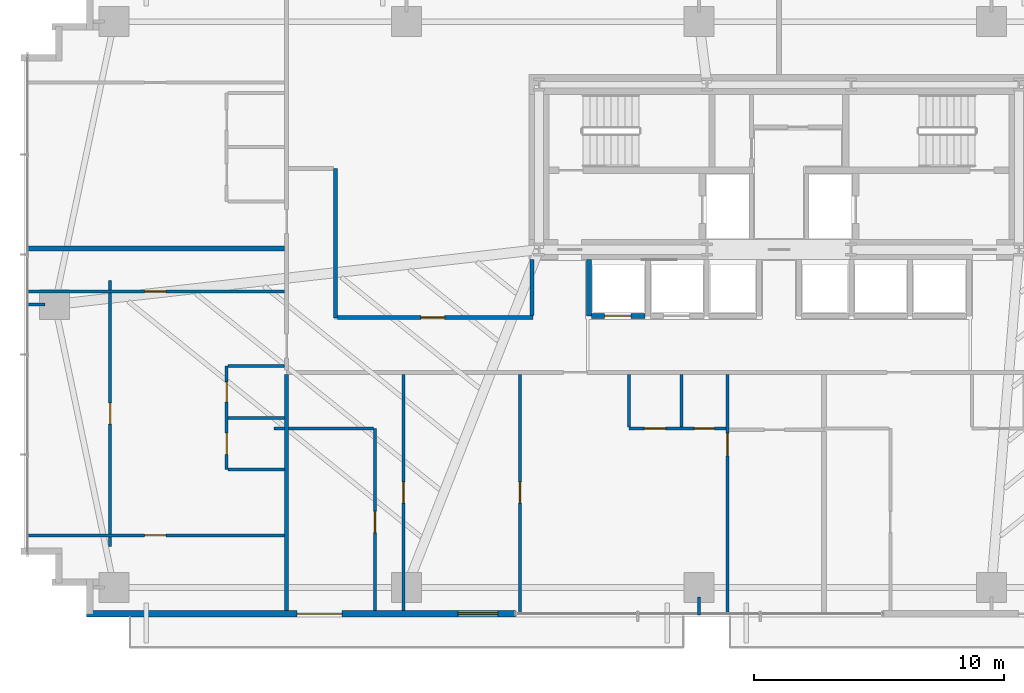
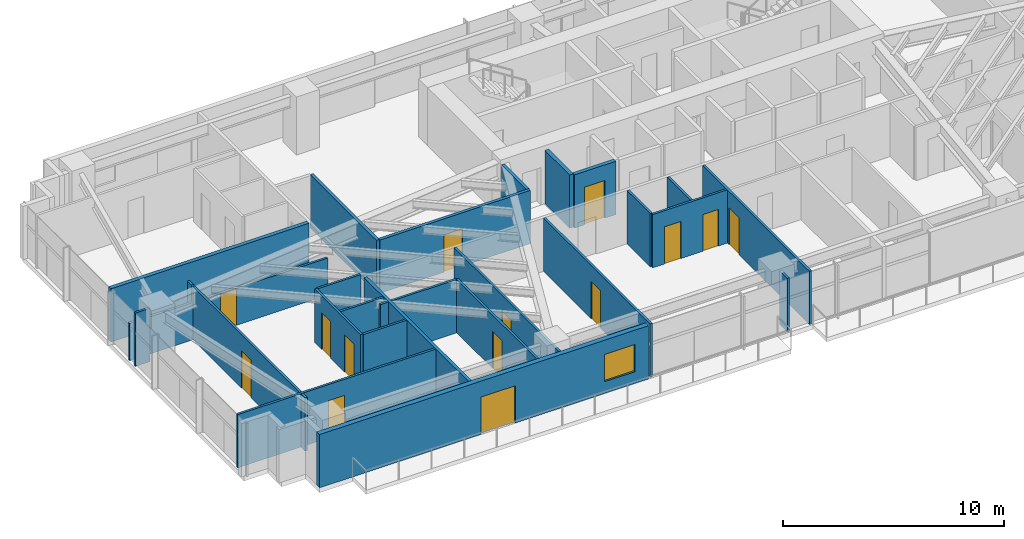
# One storey, part 19 of 25: 28 walls, 14 doors, 1 window, 15 openings.
"""IFC4 building model written with IfcOpenShell, lengths in metres."""

from ifc_helpers import new_model, si_unit, direction, frame, frame_2d, origin, place, context, subcontext, project, spatial, rectangle, extrude, source, transform, mapped, material, layer, layer_set, type_object, type_shapes, element, fill, save


model = new_model("IFC4")

# Units and contexts
model_context = context("Model", 3, precision=1e-05, world=origin(), true_north=direction((0.0, 1.0)))
body_context = subcontext(model_context, "Body", "Model", "MODEL_VIEW")
ifc_project = project(units=[si_unit("LENGTHUNIT", "METRE"), si_unit("AREAUNIT", "SQUARE_METRE"), si_unit("VOLUMEUNIT", "CUBIC_METRE"), si_unit("PLANEANGLEUNIT", "RADIAN"), si_unit("MASSUNIT", "GRAM", prefix="KILO")], contexts=[model_context])

# Site, building, storey
site_placement = place(None, origin())
site = spatial("IfcSite", under=ifc_project, at=site_placement, CompositionType="ELEMENT")
building_placement = place(site_placement, origin())
building = spatial("IfcBuilding", under=site, at=building_placement, Name="Astriad Promenade Condominiums", CompositionType="ELEMENT")
storey_placement = place(building_placement, frame((0.0, 0.0, 35.800048828125)))
storey = spatial("IfcBuildingStorey", under=building, at=storey_placement, Name="L09", CompositionType="ELEMENT", Elevation=35.800048828125)

# Walls
ifc_material_1 = material(Name="Fire-Rated Gypsum Partition")
ifc_layer_1 = layer(ifc_material_1, 0.159912109375)
ifc_layer_set_1 = layer_set([ifc_layer_1], Name="Fire-Rated Gypsum Partition")
wall_type_1 = type_object("IfcWallType", Name="WALL-CORR-160", PredefinedType="PARTITIONING", material=ifc_layer_set_1)
wall_1_placement = place(storey_placement, frame((16.300048828125, 2.9619140625, 0.0), z_axis=(0.0, 0.0, 1.0), x_axis=(0.0, 1.0, 0.0)))
element("IfcWall", 1, at=wall_1_placement, inside=storey, type_object=wall_type_1, Name="PT-COR-W-L09", PredefinedType="PARTITIONING", context=body_context, shape_type="SweptSolid", body=[
    extrude(rectangle(XDim=9.446044921875, YDim=0.159912109375, at=frame_2d((4.72314453125, 0.0))), origin(), (0.0, 0.0, 1.0), 2.93994140625),
])
wall_2_placement = place(storey_placement, frame((18.25, 14.659912109375, 0.0), z_axis=(0.0, 0.0, 1.0), x_axis=(0.0, 1.0, 0.0)))
element("IfcWall", 2, at=wall_2_placement, inside=storey, type_object=wall_type_1, Name="PT-WALC-E-L09", PredefinedType="PARTITIONING", context=body_context, shape_type="SweptSolid", body=[
    extrude(rectangle(XDim=5.989990234375, YDim=0.159912109375, at=frame_2d((2.9951171875, 0.0))), origin(), (0.0, 0.0, 1.0), 2.93994140625),
])

# Wall, opening, door
wall_3_placement = place(storey_placement, frame((18.33203125, 14.679931640625, 0.0), z_axis=(0.0, 0.0, 1.0), x_axis=(1.0, 0.0, 0.0)))
wall_3 = element("IfcWall", 3, at=wall_3_placement, inside=storey, type_object=wall_type_1, Name="PT-FLK-NW-L09", PredefinedType="PARTITIONING", context=body_context, shape_type="SweptSolid", body=[
    extrude(rectangle(XDim=7.827880859375, YDim=0.159912109375, at=frame_2d((3.9140625, 0.0))), origin(), (0.0, 0.0, 1.0), 2.93994140625),
])
opening_1_placement = place(wall_3_placement, frame((3.337890625, 0.0, 0.0)))
opening_1 = element("IfcOpeningElement", 4, at=opening_1_placement, cuts=wall_3, Name="Opening FD60-APT-095", PredefinedType="OPENING", context=body_context, shape_type="SweptSolid", body=[
    extrude(rectangle(XDim=0.949951171875, YDim=2.06005859375, at=frame_2d((0.47509765625, 1.030029296875))), frame((0.0, 0.08984375, 0.0), z_axis=(0.0, -1.0, 0.0), x_axis=(1.0, 0.0, 0.0)), (0.0, 0.0, 1.0), 0.179931640625),
])
ifc_material_2 = material(Name="Solid-Core Acoustic Timber Residence Entry Door", Category="wood")
door_type_1 = type_object("IfcDoorType", Name="FD60-APT-095", OperationType="NOTDEFINED", PredefinedType="DOOR", material=ifc_material_2)
shared_shape_1 = source(origin(), body_context, "Body", "SweptSolid", [
    extrude(rectangle(XDim=0.949951171875, YDim=2.06005859375, at=frame_2d((0.47509765625, 1.030029296875))), frame((0.0, 0.02490234375, 0.0), z_axis=(0.0, -1.0, 0.0), x_axis=(1.0, 0.0, 0.0)), (0.0, 0.0, 1.0), 0.050048828125),
])
type_shapes(door_type_1, [shared_shape_1])
door_1_placement = place(opening_1_placement, origin())
door_1 = element("IfcDoor", 5, at=door_1_placement, inside=storey, type_object=door_type_1, Name="D-NWA-L09", OperationType="SINGLE_SWING_LEFT", OverallHeight=2.06005859375, OverallWidth=0.949951171875, PredefinedType="DOOR", context=body_context, shape_type="MappedRepresentation", body=[
    mapped(shared_shape_1, transform((0.0, 0.0, 0.0), scale=1.0)),
])
fill(opening_1, door_1)

# Walls
wall_4_placement = place(storey_placement, frame((26.1201171875, 14.761962890625, 0.0), z_axis=(0.0, 0.0, 1.0), x_axis=(0.0, 1.0, 0.0)))
element("IfcWall", 6, at=wall_4_placement, inside=storey, type_object=wall_type_1, Name="PT-WSPUR-W-L09", PredefinedType="PARTITIONING", context=body_context, shape_type="SweptSolid", body=[
    extrude(rectangle(XDim=2.236083984375, YDim=0.159912109375, at=frame_2d((1.1181640625, 0.0))), origin(), (0.0, 0.0, 1.0), 2.93994140625),
])
ifc_material_3 = material(Name="Acoustic Double-Stud Gypsum Partition")
ifc_layer_2 = layer(ifc_material_3, 0.199951171875)
ifc_layer_set_2 = layer_set([ifc_layer_2], Name="Acoustic Double-Stud Gypsum Partition")
wall_type_2 = type_object("IfcWallType", Name="WALL-DEMISING-200", PredefinedType="PARTITIONING", material=ifc_layer_set_2)
wall_5_placement = place(storey_placement, frame((5.8798828125, 17.449951171875, 0.0), z_axis=(0.0, 0.0, 1.0), x_axis=(1.0, 0.0, 0.0)))
element("IfcWall", 7, at=wall_5_placement, inside=storey, type_object=wall_type_2, Name="PT-DEM-WW-L09", PredefinedType="PARTITIONING", context=body_context, shape_type="SweptSolid", body=[
    extrude(rectangle(XDim=10.338134765625, YDim=0.199951171875, at=frame_2d((5.1689453125, 0.0))), origin(), (0.0, 0.0, 1.0), 2.93994140625),
])

# Wall, openings, door, window
ifc_material_4 = material(Name="Precast concrete C50/60", Category="concrete")
ifc_layer_3 = layer(ifc_material_4, 0.260009765625)
ifc_layer_set_3 = layer_set([ifc_layer_3], Name="Precast concrete C50/60")
wall_type_3 = type_object("IfcWallType", Name="WALL-EXT-TWR-260", PredefinedType="STANDARD", material=ifc_layer_set_3)
wall_6_placement = place(storey_placement, frame((25.449951171875, 2.830078125, 0.0), z_axis=(0.0, 0.0, 1.0), x_axis=(-1.0, 0.0, 0.0)))
wall_6 = element("IfcWall", 8, at=wall_6_placement, inside=storey, type_object=wall_type_3, Name="W-EXT-L09-S2", PredefinedType="STANDARD", context=body_context, shape_type="SweptSolid", body=[
    extrude(rectangle(XDim=17.14990234375, YDim=0.260009765625, at=frame_2d((8.574951171875, 0.0))), origin(), (0.0, 0.0, 1.0), 2.93994140625),
])
opening_2_placement = place(wall_6_placement, frame((6.929931640625, 0.0, 0.0)))
opening_2 = element("IfcOpeningElement", 9, at=opening_2_placement, cuts=wall_6, Name="Opening BD-1822-SLD", PredefinedType="OPENING", context=body_context, shape_type="SweptSolid", body=[
    extrude(rectangle(XDim=1.800048828125, YDim=2.06005859375, at=frame_2d((0.89990234375, 1.030029296875))), frame((0.0, 0.139892578125, 0.0), z_axis=(0.0, -1.0, 0.0), x_axis=(1.0, 0.0, 0.0)), (0.0, 0.0, 1.0), 0.280029296875),
])
opening_3_placement = place(wall_6_placement, frame((0.699951171875, 0.0, 0.64990234375)))
opening_3 = element("IfcOpeningElement", 10, at=opening_3_placement, cuts=wall_6, Name="Opening WIN-TWR-1620", PredefinedType="OPENING", context=body_context, shape_type="SweptSolid", body=[
    extrude(rectangle(XDim=1.60009765625, YDim=1.5, at=frame_2d((0.800048828125, 0.75))), frame((0.0, 0.139892578125, 0.0), z_axis=(0.0, -1.0, 0.0), x_axis=(1.0, 0.0, 0.0)), (0.0, 0.0, 1.0), 0.280029296875),
])
ifc_material_5 = material(Name="Thermally Broken Aluminium Sliding Balcony Door", Category="aluminium")
door_type_2 = type_object("IfcDoorType", Name="BD-1822-SLD", OperationType="NOTDEFINED", PredefinedType="DOOR", material=ifc_material_5)
shared_shape_2 = source(origin(), body_context, "Body", "SweptSolid", [
    extrude(rectangle(XDim=1.800048828125, YDim=2.06005859375, at=frame_2d((0.89990234375, 1.030029296875))), frame((0.0, 0.02490234375, 0.0), z_axis=(0.0, -1.0, 0.0), x_axis=(1.0, 0.0, 0.0)), (0.0, 0.0, 1.0), 0.050048828125),
])
type_shapes(door_type_2, [shared_shape_2])
door_2_placement = place(opening_2_placement, origin())
door_2 = element("IfcDoor", 11, at=door_2_placement, inside=storey, type_object=door_type_2, Name="BD-L09-SW", OperationType="SLIDING_TO_LEFT", OverallHeight=2.06005859375, OverallWidth=1.800048828125, PredefinedType="DOOR", context=body_context, shape_type="MappedRepresentation", body=[
    mapped(shared_shape_2, transform((0.0, 0.0, 0.0), scale=1.0)),
])
fill(opening_2, door_2)
ifc_material_6 = material(Name="Dark Tinted Triple-Glazed Aluminium Window", Category="aluminium")
window_type = type_object("IfcWindowType", Name="WIN-TWR-1620", PartitioningType="SINGLE_PANEL", PredefinedType="WINDOW", material=ifc_material_6)
shared_shape_3 = source(origin(), body_context, "Body", "SweptSolid", [
    extrude(rectangle(XDim=1.60009765625, YDim=1.5, at=frame_2d((0.800048828125, 0.75))), frame((0.0, 0.030029296875, 0.0), z_axis=(0.0, -1.0, 0.0), x_axis=(1.0, 0.0, 0.0)), (0.0, 0.0, 1.0), 0.06005859375),
])
type_shapes(window_type, [shared_shape_3])
window_placement = place(opening_3_placement, origin())
window = element("IfcWindow", 12, at=window_placement, inside=storey, type_object=window_type, Name="WIN-L09-SW", OverallHeight=1.5, OverallWidth=1.60009765625, PartitioningType="SINGLE_PANEL", PredefinedType="WINDOW", context=body_context, shape_type="MappedRepresentation", body=[
    mapped(shared_shape_3, transform((0.0, 0.0, 0.0), scale=1.0)),
])
fill(opening_3, window)

# Wall, opening, door
ifc_material_7 = material(Name="Acoustic Metal-Stud Gypsum Partition")
ifc_layer_4 = layer(ifc_material_7, 0.1201171875)
ifc_layer_set_4 = layer_set([ifc_layer_4], Name="Acoustic Metal-Stud Gypsum Partition")
wall_type_4 = type_object("IfcWallType", Name="WALL-PART-120", PredefinedType="PARTITIONING", material=ifc_layer_set_4)
wall_7_placement = place(storey_placement, frame((33.944091796875, 2.780029296875, 0.0), z_axis=(0.0, 0.0, 1.0), x_axis=(0.0, 1.0, 0.0)))
wall_7 = element("IfcWall", 13, at=wall_7_placement, inside=storey, type_object=wall_type_4, Name="PT-L09-S1-BD1", PredefinedType="PARTITIONING", context=body_context, shape_type="SweptSolid", body=[
    extrude(rectangle(XDim=9.6279296875, YDim=0.1201171875, at=frame_2d((4.81396484375, 0.0))), origin(), (0.0, 0.0, 1.0), 2.93994140625),
])
opening_4_placement = place(wall_7_placement, frame((6.360107421875, 0.0, 0.0)))
opening_4 = element("IfcOpeningElement", 14, at=opening_4_placement, cuts=wall_7, Name="Opening D-INT-090", PredefinedType="OPENING", context=body_context, shape_type="SweptSolid", body=[
    extrude(rectangle(XDim=0.89990234375, YDim=2.050048828125, at=frame_2d((0.449951171875, 1.02490234375))), frame((0.0, 0.070068359375, 0.0), z_axis=(0.0, -1.0, 0.0), x_axis=(1.0, 0.0, 0.0)), (0.0, 0.0, 1.0), 0.14013671875),
])
ifc_material_8 = material(Name="Painted Solid-Core Timber Bedroom Door", Category="wood")
door_type_3 = type_object("IfcDoorType", Name="D-INT-090", OperationType="NOTDEFINED", PredefinedType="DOOR", material=ifc_material_8)
shared_shape_4 = source(origin(), body_context, "Body", "SweptSolid", [
    extrude(rectangle(XDim=0.89990234375, YDim=2.050048828125, at=frame_2d((0.449951171875, 1.02490234375))), frame((0.0, 0.02490234375, 0.0), z_axis=(0.0, -1.0, 0.0), x_axis=(1.0, 0.0, 0.0)), (0.0, 0.0, 1.0), 0.050048828125),
])
type_shapes(door_type_3, [shared_shape_4])
door_3_placement = place(opening_4_placement, origin())
door_3 = element("IfcDoor", 15, at=door_3_placement, inside=storey, type_object=door_type_3, Name="D-BD1-L09-S1", OperationType="SINGLE_SWING_RIGHT", OverallHeight=2.050048828125, OverallWidth=0.89990234375, PredefinedType="DOOR", context=body_context, shape_type="MappedRepresentation", body=[
    mapped(shared_shape_4, transform((0.0, 0.0, 0.0), scale=1.0)),
])
fill(opening_4, door_3)

# Wall, openings, doors
wall_8_placement = place(storey_placement, frame((29.993896484375, 10.239990234375, 0.0), z_axis=(0.0, 0.0, 1.0), x_axis=(1.0, 0.0, 0.0)))
wall_8 = element("IfcWall", 16, at=wall_8_placement, inside=storey, type_object=wall_type_4, Name="PT-L09-S1-PS", PredefinedType="PARTITIONING", context=body_context, shape_type="SweptSolid", body=[
    extrude(rectangle(XDim=3.88818359375, YDim=0.1201171875, at=frame_2d((1.944091796875, 0.0))), origin(), (0.0, 0.0, 1.0), 2.93994140625),
])
opening_5_placement = place(wall_8_placement, frame((0.625, 0.0, 0.0)))
opening_5 = element("IfcOpeningElement", 17, at=opening_5_placement, cuts=wall_8, Name="Opening D-INT-085", PredefinedType="OPENING", context=body_context, shape_type="SweptSolid", body=[
    extrude(rectangle(XDim=0.85009765625, YDim=2.050048828125, at=frame_2d((0.425048828125, 1.02490234375))), frame((0.0, 0.070068359375, 0.0), z_axis=(0.0, -1.0, 0.0), x_axis=(1.0, 0.0, 0.0)), (0.0, 0.0, 1.0), 0.14013671875),
])
opening_6_placement = place(wall_8_placement, frame((2.625, 0.0, 0.0)))
opening_6 = element("IfcOpeningElement", 18, at=opening_6_placement, cuts=wall_8, Name="Opening D-WET-080", PredefinedType="OPENING", context=body_context, shape_type="SweptSolid", body=[
    extrude(rectangle(XDim=0.800048828125, YDim=2.02001953125, at=frame_2d((0.39990234375, 1.010009765625))), frame((0.0, 0.070068359375, 0.0), z_axis=(0.0, -1.0, 0.0), x_axis=(1.0, 0.0, 0.0)), (0.0, 0.0, 1.0), 0.14013671875),
])
ifc_material_9 = material(Name="Moisture-Resistant Timber Bathroom Door", Category="wood")
door_type_4 = type_object("IfcDoorType", Name="D-WET-080", OperationType="NOTDEFINED", PredefinedType="DOOR", material=ifc_material_9)
shared_shape_5 = source(origin(), body_context, "Body", "SweptSolid", [
    extrude(rectangle(XDim=0.800048828125, YDim=2.02001953125, at=frame_2d((0.39990234375, 1.010009765625))), frame((0.0, 0.02490234375, 0.0), z_axis=(0.0, -1.0, 0.0), x_axis=(1.0, 0.0, 0.0)), (0.0, 0.0, 1.0), 0.050048828125),
])
type_shapes(door_type_4, [shared_shape_5])
door_4_placement = place(opening_6_placement, origin())
door_4 = element("IfcDoor", 19, at=door_4_placement, inside=storey, type_object=door_type_4, Name="D-BTH-L09-S1", OperationType="SINGLE_SWING_RIGHT", OverallHeight=2.02001953125, OverallWidth=0.800048828125, PredefinedType="DOOR", context=body_context, shape_type="MappedRepresentation", body=[
    mapped(shared_shape_5, transform((0.0, 0.0, 0.0), scale=1.0)),
])
fill(opening_6, door_4)
ifc_material_10 = material(Name="Painted Solid-Core Timber Room Door", Category="wood")
door_type_5 = type_object("IfcDoorType", Name="D-INT-085", OperationType="NOTDEFINED", PredefinedType="DOOR", material=ifc_material_10)
shared_shape_6 = source(origin(), body_context, "Body", "SweptSolid", [
    extrude(rectangle(XDim=0.85009765625, YDim=2.050048828125, at=frame_2d((0.425048828125, 1.02490234375))), frame((0.0, 0.02490234375, 0.0), z_axis=(0.0, -1.0, 0.0), x_axis=(1.0, 0.0, 0.0)), (0.0, 0.0, 1.0), 0.050048828125),
])
type_shapes(door_type_5, [shared_shape_6])
door_5_placement = place(opening_5_placement, origin())
door_5 = element("IfcDoor", 20, at=door_5_placement, inside=storey, type_object=door_type_5, Name="D-KIT-L09-S1", OperationType="SINGLE_SWING_LEFT", OverallHeight=2.050048828125, OverallWidth=0.85009765625, PredefinedType="DOOR", context=body_context, shape_type="MappedRepresentation", body=[
    mapped(shared_shape_6, transform((0.0, 0.0, 0.0), scale=1.0)),
])
fill(opening_5, door_5)

# Walls
for number, where, z_axis, x_axis, name in (
    (21, (32.093994140625, 10.302001953125, 0.0), (0.0, 0.0, 1.0), (0.0, 1.0, 0.0), "PT-L09-S1-PBK"),
    (22, (29.993896484375, 10.302001953125, 0.0), (0.0, 0.0, 1.0), (0.0, 1.0, 0.0), "PT-L09-S1-PKW"),
):
    element("IfcWall", number, at=place(storey_placement, frame(where, z_axis=z_axis, x_axis=x_axis)), inside=storey, type_object=wall_type_4, Name=name, PredefinedType="PARTITIONING", context=body_context, shape_type="SweptSolid", body=[
        extrude(rectangle(XDim=2.10595703125, YDim=0.1201171875, at=frame_2d((1.052978515625, 0.0))), origin(), (0.0, 0.0, 1.0), 2.93994140625),
    ])

# Wall, opening, door
wall_9_placement = place(storey_placement, frame((19.830078125, 2.9619140625, 0.0), z_axis=(0.0, 0.0, 1.0), x_axis=(0.0, 1.0, 0.0)))
wall_9 = element("IfcWall", 23, at=wall_9_placement, inside=storey, type_object=wall_type_4, Name="PT-L09-S1-EXV", PredefinedType="PARTITIONING", context=body_context, shape_type="SweptSolid", body=[
    extrude(rectangle(XDim=7.278076171875, YDim=0.1201171875, at=frame_2d((3.63916015625, 0.0))), origin(), (0.0, 0.0, 1.0), 2.93994140625),
])
opening_7_placement = place(wall_9_placement, frame((3.113037109375, 0.0, 0.0)))
opening_7 = element("IfcOpeningElement", 24, at=opening_7_placement, cuts=wall_9, Name="Opening D-INT-085", PredefinedType="OPENING", context=body_context, shape_type="SweptSolid", body=[
    extrude(rectangle(XDim=0.85009765625, YDim=2.050048828125, at=frame_2d((0.425048828125, 1.02490234375))), frame((0.0, 0.070068359375, 0.0), z_axis=(0.0, -1.0, 0.0), x_axis=(1.0, 0.0, 0.0)), (0.0, 0.0, 1.0), 0.14013671875),
])
door_6_placement = place(opening_7_placement, origin())
door_6 = element("IfcDoor", 25, at=door_6_placement, inside=storey, type_object=door_type_5, Name="D-EX-L09-S1", OperationType="SINGLE_SWING_RIGHT", OverallHeight=2.050048828125, OverallWidth=0.85009765625, PredefinedType="DOOR", context=body_context, shape_type="MappedRepresentation", body=[
    mapped(shared_shape_6, transform((0.0, 0.0, 0.0), scale=1.0)),
])
fill(opening_7, door_6)

# Walls
wall_10_placement = place(storey_placement, frame((15.800048828125, 10.239990234375, 0.0), z_axis=(0.0, 0.0, 1.0), x_axis=(1.0, 0.0, 0.0)))
element("IfcWall", 26, at=wall_10_placement, inside=storey, type_object=wall_type_4, Name="PT-L09-S1-EXH", PredefinedType="PARTITIONING", context=body_context, shape_type="SweptSolid", body=[
    extrude(rectangle(XDim=0.41796875, YDim=0.1201171875, at=frame_2d((0.208984375, 0.0))), origin(), (0.0, 0.0, 1.0), 2.93994140625),
])
wall_11_placement = place(storey_placement, frame((16.382080078125, 10.239990234375, 0.0), z_axis=(0.0, 0.0, 1.0), x_axis=(1.0, 0.0, 0.0)))
element("IfcWall", 27, at=wall_11_placement, inside=storey, type_object=wall_type_4, Name="PT-L09-S1-EXH-S2", PredefinedType="PARTITIONING", context=body_context, shape_type="SweptSolid", body=[
    extrude(rectangle(XDim=3.385986328125, YDim=0.1201171875, at=frame_2d((1.69287109375, 0.0))), origin(), (0.0, 0.0, 1.0), 2.93994140625),
])

# Wall, opening, door
wall_12_placement = place(storey_placement, frame((20.97998046875, 2.9619140625, 0.0), z_axis=(0.0, 0.0, 1.0), x_axis=(0.0, 1.0, 0.0)))
wall_12 = element("IfcWall", 28, at=wall_12_placement, inside=storey, type_object=wall_type_4, Name="PT-L09-S1-CAP1", PredefinedType="PARTITIONING", context=body_context, shape_type="SweptSolid", body=[
    extrude(rectangle(XDim=9.446044921875, YDim=0.1201171875, at=frame_2d((4.72314453125, 0.0))), origin(), (0.0, 0.0, 1.0), 2.93994140625),
])
opening_8_placement = place(wall_12_placement, frame((4.2880859375, 0.0, 0.0)))
opening_8 = element("IfcOpeningElement", 29, at=opening_8_placement, cuts=wall_12, Name="Opening D-INT-085", PredefinedType="OPENING", context=body_context, shape_type="SweptSolid", body=[
    extrude(rectangle(XDim=0.85009765625, YDim=2.050048828125, at=frame_2d((0.425048828125, 1.02490234375))), frame((0.0, 0.070068359375, 0.0), z_axis=(0.0, -1.0, 0.0), x_axis=(1.0, 0.0, 0.0)), (0.0, 0.0, 1.0), 0.14013671875),
])
door_7_placement = place(opening_8_placement, origin())
door_7 = element("IfcDoor", 30, at=door_7_placement, inside=storey, type_object=door_type_5, Name="D-CAP1-L09-S1", OperationType="SINGLE_SWING_LEFT", OverallHeight=2.050048828125, OverallWidth=0.85009765625, PredefinedType="DOOR", context=body_context, shape_type="MappedRepresentation", body=[
    mapped(shared_shape_6, transform((0.0, 0.0, 0.0), scale=1.0)),
])
fill(opening_8, door_7)

wall_13_placement = place(storey_placement, frame((25.639892578125, 2.780029296875, 0.0), z_axis=(0.0, 0.0, 1.0), x_axis=(0.0, 1.0, 0.0)))
wall_13 = element("IfcWall", 31, at=wall_13_placement, inside=storey, type_object=wall_type_4, Name="PT-L09-S1-CAP2", PredefinedType="PARTITIONING", context=body_context, shape_type="SweptSolid", body=[
    extrude(rectangle(XDim=9.6279296875, YDim=0.1201171875, at=frame_2d((4.81396484375, 0.0))), origin(), (0.0, 0.0, 1.0), 2.93994140625),
])
opening_9_placement = place(wall_13_placement, frame((4.469970703125, 0.0, 0.0)))
opening_9 = element("IfcOpeningElement", 32, at=opening_9_placement, cuts=wall_13, Name="Opening D-INT-085", PredefinedType="OPENING", context=body_context, shape_type="SweptSolid", body=[
    extrude(rectangle(XDim=0.85009765625, YDim=2.050048828125, at=frame_2d((0.425048828125, 1.02490234375))), frame((0.0, 0.070068359375, 0.0), z_axis=(0.0, -1.0, 0.0), x_axis=(1.0, 0.0, 0.0)), (0.0, 0.0, 1.0), 0.14013671875),
])
door_8_placement = place(opening_9_placement, origin())
door_8 = element("IfcDoor", 33, at=door_8_placement, inside=storey, type_object=door_type_5, Name="D-CAP2-L09-S1", OperationType="SINGLE_SWING_RIGHT", OverallHeight=2.050048828125, OverallWidth=0.85009765625, PredefinedType="DOOR", context=body_context, shape_type="MappedRepresentation", body=[
    mapped(shared_shape_6, transform((0.0, 0.0, 0.0), scale=1.0)),
])
fill(opening_9, door_8)

# Wall, openings, doors
wall_14_placement = place(storey_placement, frame((13.89990234375, 8.590087890625, 0.0), z_axis=(0.0, 0.0, 1.0), x_axis=(0.0, 1.0, 0.0)))
wall_14 = element("IfcWall", 34, at=wall_14_placement, inside=storey, type_object=wall_type_4, Name="PT-L09-W1-PV", PredefinedType="PARTITIONING", context=body_context, shape_type="SweptSolid", body=[
    extrude(rectangle(XDim=4.14990234375, YDim=0.1201171875, at=frame_2d((2.074951171875, 0.0))), origin(), (0.0, 0.0, 1.0), 2.93994140625),
])
opening_10_placement = place(wall_14_placement, frame((0.612060546875, 0.0, 0.0)))
opening_10 = element("IfcOpeningElement", 35, at=opening_10_placement, cuts=wall_14, Name="Opening D-INT-085", PredefinedType="OPENING", context=body_context, shape_type="SweptSolid", body=[
    extrude(rectangle(XDim=0.85009765625, YDim=2.050048828125, at=frame_2d((0.425048828125, 1.02490234375))), frame((0.0, 0.070068359375, 0.0), z_axis=(0.0, -1.0, 0.0), x_axis=(1.0, 0.0, 0.0)), (0.0, 0.0, 1.0), 0.14013671875),
])
opening_11_placement = place(wall_14_placement, frame((2.712890625, 0.0, 0.0)))
opening_11 = element("IfcOpeningElement", 36, at=opening_11_placement, cuts=wall_14, Name="Opening D-WET-080", PredefinedType="OPENING", context=body_context, shape_type="SweptSolid", body=[
    extrude(rectangle(XDim=0.800048828125, YDim=2.02001953125, at=frame_2d((0.39990234375, 1.010009765625))), frame((0.0, 0.070068359375, 0.0), z_axis=(0.0, -1.0, 0.0), x_axis=(1.0, 0.0, 0.0)), (0.0, 0.0, 1.0), 0.14013671875),
])
door_9_placement = place(opening_11_placement, origin())
door_9 = element("IfcDoor", 37, at=door_9_placement, inside=storey, type_object=door_type_4, Name="D-BTH-L09-W1", OperationType="SINGLE_SWING_LEFT", OverallHeight=2.02001953125, OverallWidth=0.800048828125, PredefinedType="DOOR", context=body_context, shape_type="MappedRepresentation", body=[
    mapped(shared_shape_5, transform((0.0, 0.0, 0.0), scale=1.0)),
])
fill(opening_11, door_9)
door_10_placement = place(opening_10_placement, origin())
door_10 = element("IfcDoor", 38, at=door_10_placement, inside=storey, type_object=door_type_5, Name="D-KIT-L09-W1", OperationType="SINGLE_SWING_RIGHT", OverallHeight=2.050048828125, OverallWidth=0.85009765625, PredefinedType="DOOR", context=body_context, shape_type="MappedRepresentation", body=[
    mapped(shared_shape_6, transform((0.0, 0.0, 0.0), scale=1.0)),
])
fill(opening_10, door_10)

# Walls
for number, where, z_axis, x_axis, name in (
    (39, (13.9619140625, 10.6650390625, 0.0), (0.0, 0.0, 1.0), (1.0, 0.0, 0.0), "PT-L09-W1-PM"),
    (40, (13.9619140625, 8.590087890625, 0.0), (0.0, 0.0, 1.0), (1.0, 0.0, 0.0), "PT-L09-W1-PS"),
    (41, (13.9619140625, 12.739990234375, 0.0), (0.0, 0.0, 1.0), (1.0, 0.0, 0.0), "PT-L09-W1-PN"),
):
    element("IfcWall", number, at=place(storey_placement, frame(where, z_axis=z_axis, x_axis=x_axis)), inside=storey, type_object=wall_type_4, Name=name, PredefinedType="PARTITIONING", context=body_context, shape_type="SweptSolid", body=[
        extrude(rectangle(XDim=2.256103515625, YDim=0.1201171875, at=frame_2d((1.1279296875, 0.0))), origin(), (0.0, 0.0, 1.0), 2.93994140625),
    ])

# Wall, opening, door
wall_15_placement = place(storey_placement, frame((5.8798828125, 5.966064453125, 0.0), z_axis=(0.0, 0.0, 1.0), x_axis=(1.0, 0.0, 0.0)))
wall_15 = element("IfcWall", 42, at=wall_15_placement, inside=storey, type_object=wall_type_4, Name="PT-L09-W1-WDS1", PredefinedType="PARTITIONING", context=body_context, shape_type="SweptSolid", body=[
    extrude(rectangle(XDim=10.338134765625, YDim=0.1201171875, at=frame_2d((5.1689453125, 0.0))), origin(), (0.0, 0.0, 1.0), 2.93994140625),
])
opening_12_placement = place(wall_15_placement, frame((4.735107421875, 0.0, 0.0)))
opening_12 = element("IfcOpeningElement", 43, at=opening_12_placement, cuts=wall_15, Name="Opening D-INT-085", PredefinedType="OPENING", context=body_context, shape_type="SweptSolid", body=[
    extrude(rectangle(XDim=0.85009765625, YDim=2.050048828125, at=frame_2d((0.425048828125, 1.02490234375))), frame((0.0, 0.070068359375, 0.0), z_axis=(0.0, -1.0, 0.0), x_axis=(1.0, 0.0, 0.0)), (0.0, 0.0, 1.0), 0.14013671875),
])
door_11_placement = place(opening_12_placement, origin())
door_11 = element("IfcDoor", 44, at=door_11_placement, inside=storey, type_object=door_type_5, Name="D-WDS1-L09-W1", OperationType="SINGLE_SWING_RIGHT", OverallHeight=2.050048828125, OverallWidth=0.85009765625, PredefinedType="DOOR", context=body_context, shape_type="MappedRepresentation", body=[
    mapped(shared_shape_6, transform((0.0, 0.0, 0.0), scale=1.0)),
])
fill(opening_12, door_11)

wall_16_placement = place(storey_placement, frame((5.8798828125, 15.721923828125, 0.0), z_axis=(0.0, 0.0, 1.0), x_axis=(1.0, 0.0, 0.0)))
wall_16 = element("IfcWall", 45, at=wall_16_placement, inside=storey, type_object=wall_type_4, Name="PT-L09-W1-WDN2", PredefinedType="PARTITIONING", context=body_context, shape_type="SweptSolid", body=[
    extrude(rectangle(XDim=10.338134765625, YDim=0.1201171875, at=frame_2d((5.1689453125, 0.0))), origin(), (0.0, 0.0, 1.0), 2.044921875),
])
opening_13_placement = place(wall_16_placement, frame((4.735107421875, 0.0, 0.0)))
opening_13 = element("IfcOpeningElement", 46, at=opening_13_placement, cuts=wall_16, Name="Opening D-LOW-085", PredefinedType="OPENING", context=body_context, shape_type="SweptSolid", body=[
    extrude(rectangle(XDim=0.85009765625, YDim=2.010009765625, at=frame_2d((0.425048828125, 1.0048828125))), frame((0.0, 0.070068359375, 0.0), z_axis=(0.0, -1.0, 0.0), x_axis=(1.0, 0.0, 0.0)), (0.0, 0.0, 1.0), 0.14013671875),
])
ifc_material_11 = material(Name="Painted Timber Under-Girder Room Door", Category="wood")
door_type_6 = type_object("IfcDoorType", Name="D-LOW-085", OperationType="NOTDEFINED", PredefinedType="DOOR", material=ifc_material_11)
shared_shape_7 = source(origin(), body_context, "Body", "SweptSolid", [
    extrude(rectangle(XDim=0.85009765625, YDim=2.010009765625, at=frame_2d((0.425048828125, 1.0048828125))), frame((0.0, 0.02490234375, 0.0), z_axis=(0.0, -1.0, 0.0), x_axis=(1.0, 0.0, 0.0)), (0.0, 0.0, 1.0), 0.050048828125),
])
type_shapes(door_type_6, [shared_shape_7])
door_12_placement = place(opening_13_placement, origin())
door_12 = element("IfcDoor", 47, at=door_12_placement, inside=storey, type_object=door_type_6, Name="D-WDN2-L09-W1", OperationType="SINGLE_SWING_LEFT", OverallHeight=2.010009765625, OverallWidth=0.85009765625, PredefinedType="DOOR", context=body_context, shape_type="MappedRepresentation", body=[
    mapped(shared_shape_7, transform((0.0, 0.0, 0.0), scale=1.0)),
])
fill(opening_13, door_12)

# Wall
wall_17_placement = place(storey_placement, frame((9.237060546875, 5.52587890625, 0.0), z_axis=(0.0, 0.0, 1.0), x_axis=(0.0, 1.0, 0.0)))
element("IfcWall", 48, at=wall_17_placement, inside=storey, type_object=wall_type_4, Name="PT-L09-W1-WDV3", PredefinedType="PARTITIONING", context=body_context, shape_type="SweptSolid", body=[
    extrude(rectangle(XDim=0.378173828125, YDim=0.1201171875, at=frame_2d((0.18896484375, 0.0))), origin(), (0.0, 0.0, 1.0), 2.93994140625),
])

# Wall, opening, door
wall_18_placement = place(storey_placement, frame((9.237060546875, 6.028076171875, 0.0), z_axis=(0.0, 0.0, 1.0), x_axis=(0.0, 1.0, 0.0)))
wall_18 = element("IfcWall", 49, at=wall_18_placement, inside=storey, type_object=wall_type_4, Name="PT-L09-W1-WDV3-S2", PredefinedType="PARTITIONING", context=body_context, shape_type="SweptSolid", body=[
    extrude(rectangle(XDim=9.6318359375, YDim=0.1201171875, at=frame_2d((4.81591796875, 0.0))), origin(), (0.0, 0.0, 1.0), 2.93994140625),
])
opening_14_placement = place(wall_18_placement, frame((4.39111328125, 0.0, 0.0)))
opening_14 = element("IfcOpeningElement", 50, at=opening_14_placement, cuts=wall_18, Name="Opening D-INT-085", PredefinedType="OPENING", context=body_context, shape_type="SweptSolid", body=[
    extrude(rectangle(XDim=0.85009765625, YDim=2.050048828125, at=frame_2d((0.425048828125, 1.02490234375))), frame((0.0, 0.070068359375, 0.0), z_axis=(0.0, -1.0, 0.0), x_axis=(1.0, 0.0, 0.0)), (0.0, 0.0, 1.0), 0.14013671875),
])
door_13_placement = place(opening_14_placement, origin())
door_13 = element("IfcDoor", 51, at=door_13_placement, inside=storey, type_object=door_type_5, Name="D-WDV3-L09-W1", OperationType="SINGLE_SWING_RIGHT", OverallHeight=2.050048828125, OverallWidth=0.85009765625, PredefinedType="DOOR", context=body_context, shape_type="MappedRepresentation", body=[
    mapped(shared_shape_6, transform((0.0, 0.0, 0.0), scale=1.0)),
])
fill(opening_14, door_13)

# Walls
wall_19_placement = place(storey_placement, frame((9.237060546875, 15.783935546875, 0.0), z_axis=(0.0, 0.0, 1.0), x_axis=(0.0, 1.0, 0.0)))
element("IfcWall", 52, at=wall_19_placement, inside=storey, type_object=wall_type_4, Name="PT-L09-W1-WDV3-S3", PredefinedType="PARTITIONING", context=body_context, shape_type="SweptSolid", body=[
    extrude(rectangle(XDim=0.378173828125, YDim=0.1201171875, at=frame_2d((0.18896484375, 0.0))), origin(), (0.0, 0.0, 1.0), 2.93994140625),
])
wall_20_placement = place(storey_placement, frame((32.800048828125, 3.5, 0.0), z_axis=(0.0, 0.0, 1.0), x_axis=(0.0, -1.0, 0.0)))
element("IfcWall", 53, at=wall_20_placement, inside=storey, type_object=wall_type_4, Name="PT-PIL-L09-PC03-10", PredefinedType="PARTITIONING", context=body_context, shape_type="SweptSolid", body=[
    extrude(rectangle(XDim=0.719970703125, YDim=0.1201171875, at=frame_2d((0.35986328125, 0.0))), origin(), (0.0, 0.0, 1.0), 2.93994140625),
])
wall_21_placement = place(storey_placement, frame((6.639892578125, 15.199951171875, 0.0), z_axis=(0.0, 0.0, 1.0), x_axis=(-1.0, 0.0, 0.0)))
element("IfcWall", 54, at=wall_21_placement, inside=storey, type_object=wall_type_4, Name="PT-PIL-L09-PC11-18", PredefinedType="PARTITIONING", context=body_context, shape_type="SweptSolid", body=[
    extrude(rectangle(XDim=0.760009765625, YDim=0.1201171875, at=frame_2d((0.3798828125, 0.0))), origin(), (0.0, 0.0, 1.0), 2.93994140625),
])
ifc_material_12 = material(Name="Gypsum Shaftliner Assembly")
ifc_layer_5 = layer(ifc_material_12, 0.199951171875)
ifc_layer_set_5 = layer_set([ifc_layer_5], Name="Gypsum Shaftliner Assembly")
wall_type_5 = type_object("IfcWallType", Name="WALL-SHAFT-200", PredefinedType="PARTITIONING", material=ifc_layer_set_5)
wall_22_placement = place(storey_placement, frame((28.39990234375, 14.75, 0.0), z_axis=(0.0, 0.0, 1.0), x_axis=(0.0, 1.0, 0.0)))
element("IfcWall", 55, at=wall_22_placement, inside=storey, type_object=wall_type_5, Name="PL-W-OUT-L09", PredefinedType="PARTITIONING", context=body_context, shape_type="SweptSolid", body=[
    extrude(rectangle(XDim=2.248046875, YDim=0.199951171875, at=frame_2d((1.1240234375, 0.0))), origin(), (0.0, 0.0, 1.0), 2.93994140625),
])

# Wall, opening, door
wall_23_placement = place(storey_placement, frame((28.501953125, 14.75, 0.0), z_axis=(0.0, 0.0, 1.0), x_axis=(1.0, 0.0, 0.0)))
wall_23 = element("IfcWall", 56, at=wall_23_placement, inside=storey, type_object=wall_type_5, Name="PL-L-FRT-L09", PredefinedType="PARTITIONING", context=body_context, shape_type="SweptSolid", body=[
    extrude(rectangle(XDim=2.14599609375, YDim=0.199951171875, at=frame_2d((1.072998046875, 0.0))), origin(), (0.0, 0.0, 1.0), 2.93994140625),
])
opening_15_placement = place(wall_23_placement, frame((0.52294921875, 0.0, 0.0)))
opening_15 = element("IfcOpeningElement", 57, at=opening_15_placement, cuts=wall_23, Name="Opening LD-PL-10522", PredefinedType="OPENING", context=body_context, shape_type="SweptSolid", body=[
    extrude(rectangle(XDim=1.050048828125, YDim=2.080078125, at=frame_2d((0.52490234375, 1.0400390625))), frame((0.0, 0.10986328125, 0.0), z_axis=(0.0, -1.0, 0.0), x_axis=(1.0, 0.0, 0.0)), (0.0, 0.0, 1.0), 0.219970703125),
])
ifc_material_13 = material(Name="Brushed Bronze Passenger Elevator Landing Door")
door_type_7 = type_object("IfcDoorType", Name="LD-PL-10522", OperationType="NOTDEFINED", PredefinedType="DOOR", material=ifc_material_13)
shared_shape_8 = source(origin(), body_context, "Body", "SweptSolid", [
    extrude(rectangle(XDim=1.050048828125, YDim=2.080078125, at=frame_2d((0.52490234375, 1.0400390625))), frame((0.0, 0.02490234375, 0.0), z_axis=(0.0, -1.0, 0.0), x_axis=(1.0, 0.0, 0.0)), (0.0, 0.0, 1.0), 0.050048828125),
])
type_shapes(door_type_7, [shared_shape_8])
door_14_placement = place(opening_15_placement, origin())
door_14 = element("IfcDoor", 58, at=door_14_placement, inside=storey, type_object=door_type_7, Name="Elevator Landing Door PL-L1 (L09)", OperationType="SLIDING_TO_LEFT", OverallHeight=2.080078125, OverallWidth=1.050048828125, PredefinedType="DOOR", context=body_context, shape_type="MappedRepresentation", body=[
    mapped(shared_shape_8, transform((0.0, 0.0, 0.0), scale=1.0)),
])
fill(opening_15, door_14)

save(model, "model.ifc")
